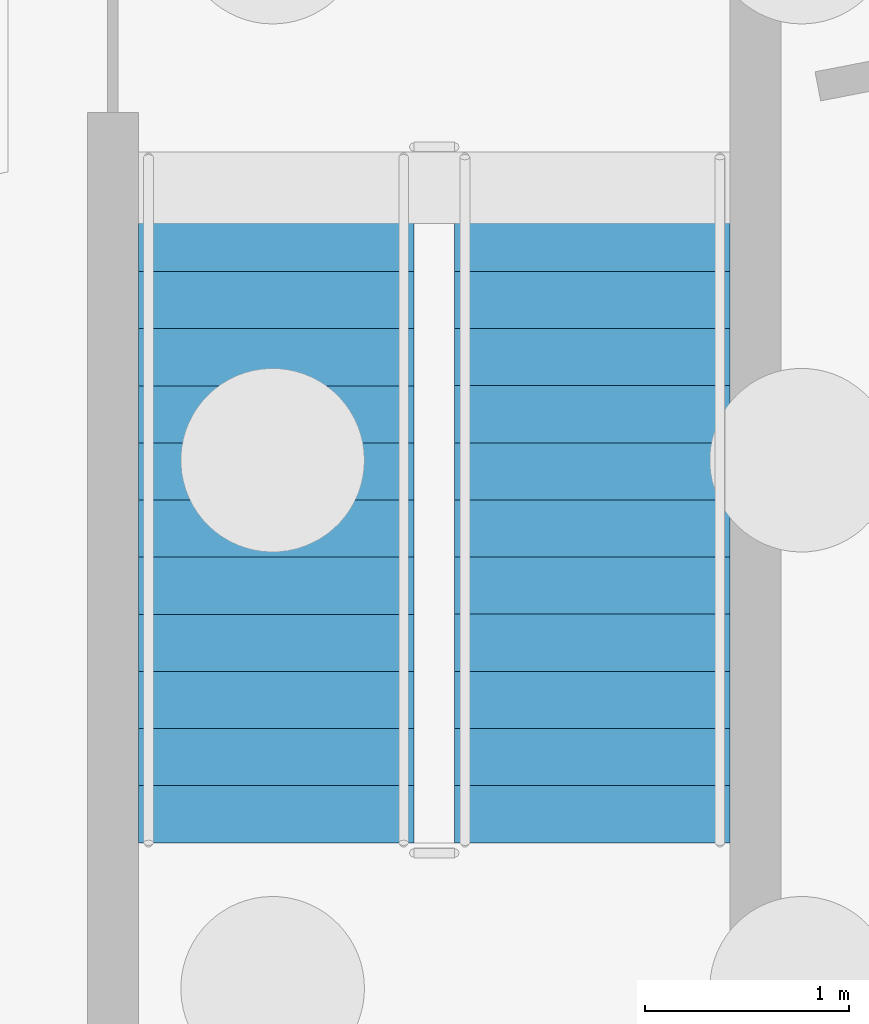
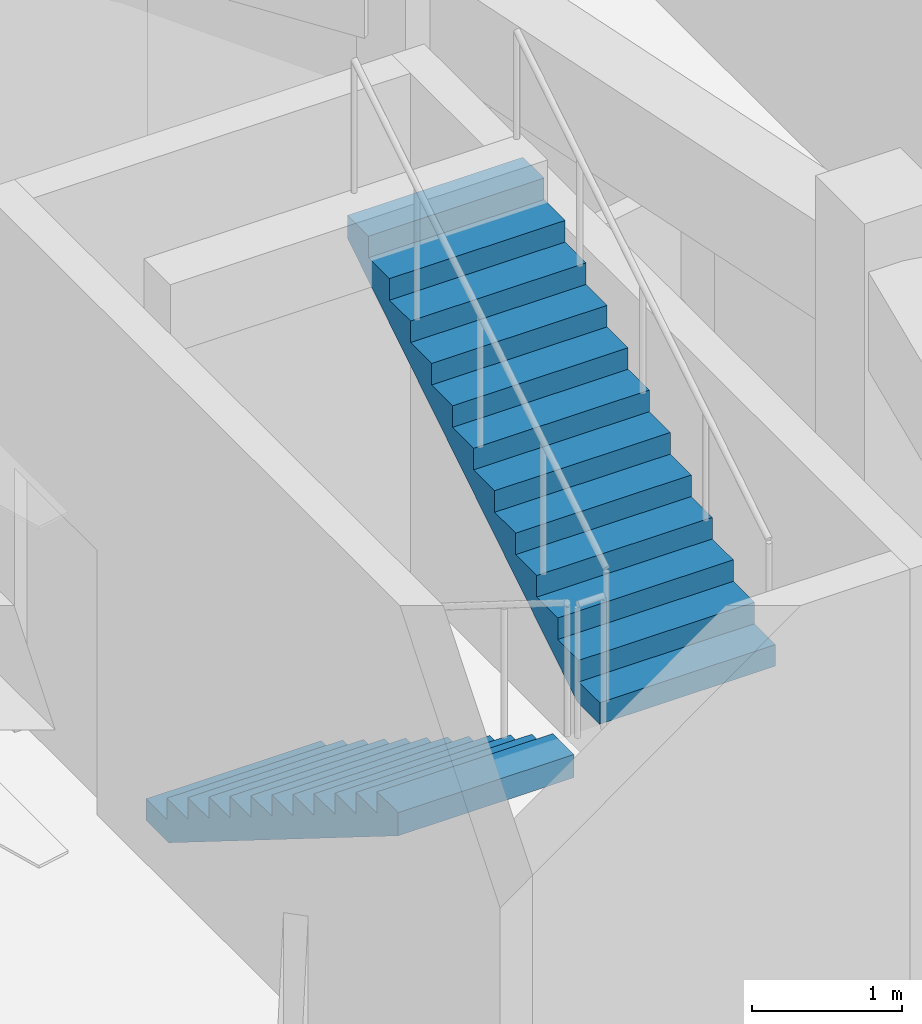
# One storey, part 49 of 57: 2 stair flights, 1 element without a shape of its own.
"""IFC4 building model written with IfcOpenShell, lengths in metres."""

from ifc_helpers import new_model, si_unit, direction, frame, origin, place, context, subcontext, project, spatial, polyline, outline, extrude, material, type_object, element, aggregate, save


model = new_model("IFC4")

# Units and contexts
model_context = context("Model", 3, precision=1e-05, world=origin(), true_north=direction((0.0, 1.0)))
body_context = subcontext(model_context, "Body", "Model", "MODEL_VIEW")
ifc_project = project(units=[si_unit("LENGTHUNIT", "METRE"), si_unit("AREAUNIT", "SQUARE_METRE"), si_unit("VOLUMEUNIT", "CUBIC_METRE"), si_unit("PLANEANGLEUNIT", "RADIAN"), si_unit("MASSUNIT", "GRAM", prefix="KILO")], contexts=[model_context])

# Site, building, storey
site_placement = place(None, origin())
site = spatial("IfcSite", under=ifc_project, at=site_placement, CompositionType="ELEMENT")
building_placement = place(site_placement, origin())
building = spatial("IfcBuilding", under=site, at=building_placement, Name="Aldenvaro Health Centre", CompositionType="ELEMENT")
storey_placement = place(building_placement, frame((0.0, 0.0, -4.550048828125)))
storey = spatial("IfcBuildingStorey", under=building, at=storey_placement, Name="B1", CompositionType="ELEMENT", Elevation=-4.550048828125)

# Stair, stair flights
ifc_material = material(Name="Concrete f'c 40 MPa", Category="concrete")
stair_type = type_object("IfcStairType", Name="STR-DOG-455", PredefinedType="HALF_TURN_STAIR", material=ifc_material)
stair_placement = place(storey_placement, origin())
stair = element("IfcStair", 1, at=stair_placement, inside=storey, type_object=stair_type, Name="B1 Exit Stair ST-03", PredefinedType="HALF_TURN_STAIR")
stair_flight_type = type_object("IfcStairFlightType", Name="STRF-01", PredefinedType="STRAIGHT", material=ifc_material)
stair_flight_1_placement = place(storey_placement, frame((162.375, 101.199951171875, 0.0), z_axis=(0.0, 0.0, 1.0), x_axis=(0.0, -1.0, 0.0)))
stair_flight_1 = element("IfcStairFlight", 2, at=stair_flight_1_placement, type_object=stair_flight_type, Name="ST-03 flight 1", NumberOfRisers=13, NumberOfTreads=12, PredefinedType="STRAIGHT", RiserHeight=0.175, TreadLength=0.28, context=body_context, shape_type="SweptSolid", body=[
    extrude(outline(polyline([(0.0, 0.0), (0.0, 0.175048828125), (0.280029296875, 0.175048828125), (0.280029296875, 0.35009765625), (0.56005859375, 0.35009765625), (0.56005859375, 0.52490234375), (0.840087890625, 0.52490234375), (0.840087890625, 0.699951171875), (1.1201171875, 0.699951171875), (1.1201171875, 0.875), (1.39990234375, 0.875), (1.39990234375, 1.050048828125), (1.679931640625, 1.050048828125), (1.679931640625, 1.22509765625), (1.9599609375, 1.22509765625), (1.9599609375, 1.39990234375), (2.239990234375, 1.39990234375), (2.239990234375, 1.574951171875), (2.52001953125, 1.574951171875), (2.52001953125, 1.75), (2.800048828125, 1.75), (2.800048828125, 1.925048828125), (3.080078125, 1.925048828125), (3.080078125, 2.10009765625), (3.360107421875, 2.10009765625), (3.360107421875, 2.27490234375), (3.360107421875, 1.911376953125), (0.3017578125, 0.0), (0.0, 0.0)])), frame((0.0, 0.675048828125, 0.0), z_axis=(0.0, -1.0, 0.0), x_axis=(1.0, 0.0, 0.0)), (0.0, 0.0, 1.0), 1.35009765625),
])
stair_flight_2_placement = place(storey_placement, frame((163.925048828125, 97.840087890625, 2.275146484375), z_axis=(0.0, 0.0, 1.0), x_axis=(0.0, 1.0, 0.0)))
stair_flight_2 = element("IfcStairFlight", 3, at=stair_flight_2_placement, type_object=stair_flight_type, Name="ST-03 flight 2", NumberOfRisers=13, NumberOfTreads=12, PredefinedType="STRAIGHT", RiserHeight=0.175, TreadLength=0.28, context=body_context, shape_type="SweptSolid", body=[
    extrude(outline(polyline([(0.0, 0.0), (0.0, 0.175048828125), (0.280029296875, 0.175048828125), (0.280029296875, 0.35009765625), (0.56005859375, 0.35009765625), (0.56005859375, 0.52490234375), (0.840087890625, 0.52490234375), (0.840087890625, 0.699951171875), (1.1201171875, 0.699951171875), (1.1201171875, 0.875), (1.39990234375, 0.875), (1.39990234375, 1.050048828125), (1.679931640625, 1.050048828125), (1.679931640625, 1.22509765625), (1.9599609375, 1.22509765625), (1.9599609375, 1.39990234375), (2.239990234375, 1.39990234375), (2.239990234375, 1.574951171875), (2.52001953125, 1.574951171875), (2.52001953125, 1.75), (2.800048828125, 1.75), (2.800048828125, 1.925048828125), (3.080078125, 1.925048828125), (3.080078125, 2.10009765625), (3.360107421875, 2.10009765625), (3.360107421875, 2.27490234375), (3.360107421875, 1.911376953125), (0.3017578125, 0.0), (0.0, 0.0)])), frame((0.0, 0.675048828125, 0.0), z_axis=(0.0, -1.0, 0.0), x_axis=(1.0, 0.0, 0.0)), (0.0, 0.0, 1.0), 1.35009765625),
])
aggregate(stair, [stair_flight_1, stair_flight_2])

save(model, "model.ifc")
